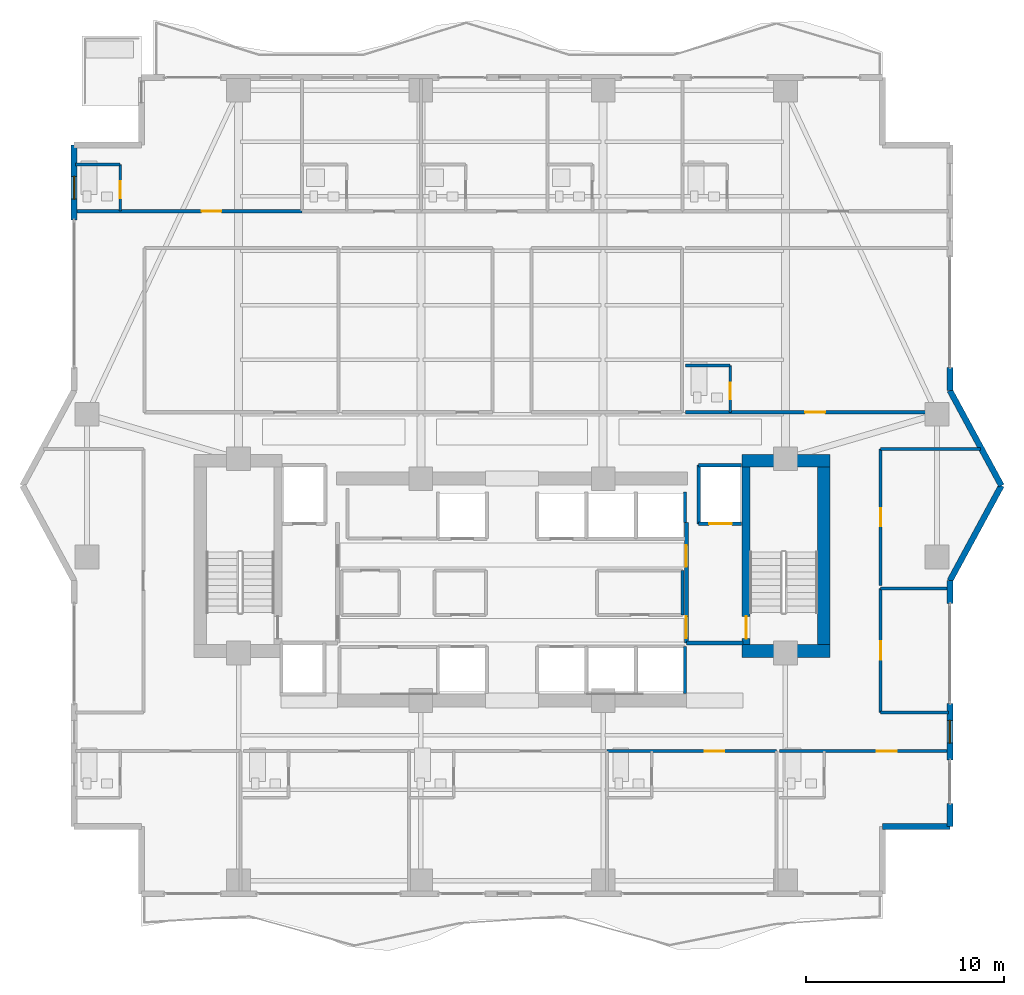
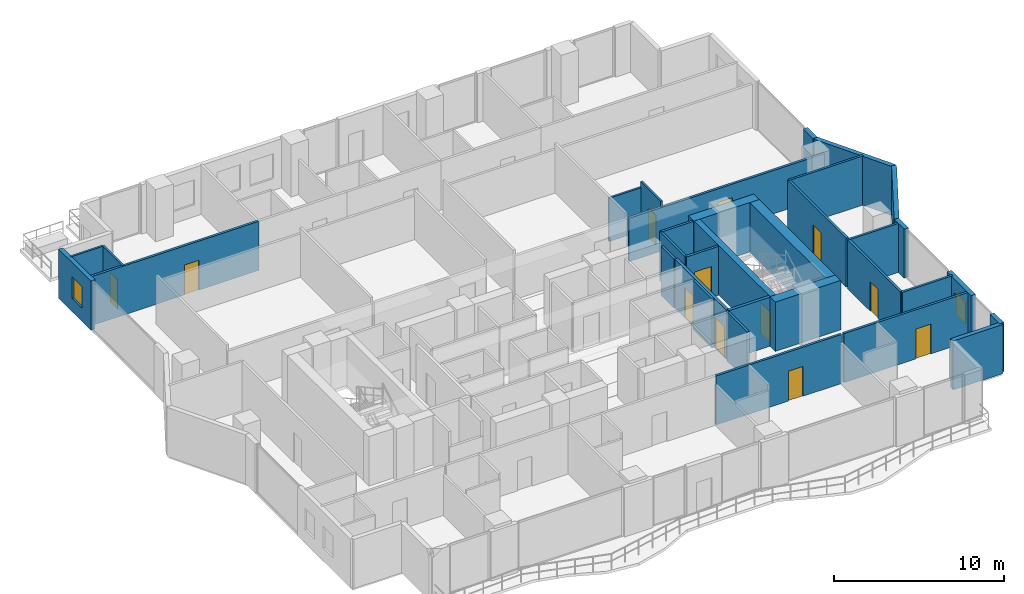
# One storey, part 26 of 32: 33 walls, 12 doors, 2 windows, 14 openings.
"""IFC4 building model written with IfcOpenShell, lengths in metres."""

from ifc_helpers import new_model, si_unit, direction, frame, frame_2d, origin, place, context, subcontext, project, spatial, rectangle, extrude, material, layer, layer_set, type_object, element, fill, save


model = new_model("IFC4")

# Units and contexts
model_context = context("Model", 3, precision=1e-05, world=origin(), true_north=direction((0.0, 1.0)))
body_context = subcontext(model_context, "Body", "Model", "MODEL_VIEW")
ifc_project = project(units=[si_unit("LENGTHUNIT", "METRE"), si_unit("AREAUNIT", "SQUARE_METRE"), si_unit("VOLUMEUNIT", "CUBIC_METRE"), si_unit("PLANEANGLEUNIT", "RADIAN"), si_unit("MASSUNIT", "GRAM", prefix="KILO")], contexts=[model_context])

# Site, building, storey
site_placement = place(None, origin())
site = spatial("IfcSite", under=ifc_project, at=site_placement, CompositionType="ELEMENT")
building_placement = place(site_placement, origin())
building = spatial("IfcBuilding", under=site, at=building_placement, Name="Zuhayl Quay Hotel", CompositionType="ELEMENT")
storey_placement = place(building_placement, frame((0.0, 0.0, 181.14990234375)))
storey = spatial("IfcBuildingStorey", under=building, at=storey_placement, Name="L45", CompositionType="ELEMENT", Elevation=181.14990234375)

# Walls
ifc_material_1 = material(Name="Concrete C50/60", Category="concrete")
ifc_layer_1 = layer(ifc_material_1, 0.64990234375, Name="Concrete C50/60", Category="concrete")
ifc_layer_set_1 = layer_set([ifc_layer_1], Name="Concrete C50/60")
wall_type_1 = type_object("IfcWallType", Name="WL_CORE_650", PredefinedType="SHEAR", material=ifc_layer_set_1)
wall_1_placement = place(storey_placement, frame((11.60009765625, 14.2548828125, 0.0), z_axis=(0.0, 0.0, 1.0), x_axis=(1.0, 0.0, 0.0)))
element("IfcWall", 1, at=wall_1_placement, inside=storey, type_object=wall_type_1, Name="L45 Core Shear Wall CW_NE", PredefinedType="SHEAR", context=body_context, shape_type="SweptSolid", body=[
    extrude(rectangle(XDim=4.4599609375, YDim=0.64990234375, at=frame_2d((2.22998046875, 0.0))), origin(), (0.0, 0.0, 1.0), 3.56005859375),
])
wall_2_placement = place(storey_placement, frame((15.735107421875, 4.969970703125, 0.0), z_axis=(0.0, 0.0, 1.0), x_axis=(0.0, 1.0, 0.0)))
element("IfcWall", 2, at=wall_2_placement, inside=storey, type_object=wall_type_1, Name="L45 Core Shear Wall CW_E", PredefinedType="SHEAR", context=body_context, shape_type="SweptSolid", body=[
    extrude(rectangle(XDim=8.9599609375, YDim=0.64990234375, at=frame_2d((4.47998046875, 0.0))), origin(), (0.0, 0.0, 1.0), 3.56005859375),
])
wall_3_placement = place(storey_placement, frame((11.60009765625, 4.64501953125, 0.0), z_axis=(0.0, 0.0, 1.0), x_axis=(1.0, 0.0, 0.0)))
element("IfcWall", 3, at=wall_3_placement, inside=storey, type_object=wall_type_1, Name="L45 Core Shear Wall CW_SE", PredefinedType="SHEAR", context=body_context, shape_type="SweptSolid", body=[
    extrude(rectangle(XDim=4.4599609375, YDim=0.64990234375, at=frame_2d((2.22998046875, 0.0))), origin(), (0.0, 0.0, 1.0), 3.56005859375),
])

# Wall, opening, window
ifc_material_2 = material(Name="Precast concrete C45/55", Category="concrete")
ifc_layer_2 = layer(ifc_material_2, 0.300048828125, Name="Precast concrete C45/55", Category="concrete")
ifc_layer_set_2 = layer_set([ifc_layer_2], Name="Precast concrete C45/55")
wall_type_2 = type_object("IfcWallType", Name="WL_EXT_300", PredefinedType="STANDARD", material=ifc_layer_set_2)
wall_4_placement = place(storey_placement, frame((-22.10009765625, 26.39990234375, 0.0), z_axis=(0.0, 0.0, 1.0), x_axis=(0.0, 1.0, 0.0)))
wall_4 = element("IfcWall", 4, at=wall_4_placement, inside=storey, type_object=wall_type_2, Name="L45 Exterior Precast Wall ENV_L45_E05_EW2", PredefinedType="STANDARD", context=body_context, shape_type="SweptSolid", body=[
    extrude(rectangle(XDim=3.800048828125, YDim=0.300048828125, at=frame_2d((1.89990234375, 0.0))), origin(), (0.0, 0.0, 1.0), 3.530029296875),
])
opening_1_placement = place(wall_4_placement, frame((1.054931640625, 0.0, 0.949951171875)))
opening_1 = element("IfcOpeningElement", 5, at=opening_1_placement, cuts=wall_4, Name="Opening W01N", PredefinedType="OPENING", context=body_context, shape_type="SweptSolid", body=[
    extrude(rectangle(XDim=1.14990234375, YDim=1.550048828125, at=frame_2d((0.574951171875, 0.77490234375))), frame((0.0, 0.159912109375, 0.0), z_axis=(0.0, -1.0, 0.0), x_axis=(1.0, 0.0, 0.0)), (0.0, 0.0, 1.0), 0.320068359375),
])
ifc_material_3 = material(Name="Dark Ceramic-Fritted Solar Glass", Category="glass")
window_type = type_object("IfcWindowType", Name="WN_NOTCH_1350", PartitioningType="SINGLE_PANEL", PredefinedType="WINDOW", material=ifc_material_3)
window_1_placement = place(opening_1_placement, origin())
window_1 = element("IfcWindow", 6, at=window_1_placement, inside=storey, type_object=window_type, Name="L45 Operable Facade Window 2-1", OverallHeight=1.550048828125, OverallWidth=1.14990234375, PartitioningType="SINGLE_PANEL", PredefinedType="WINDOW", context=body_context, shape_type="SweptSolid", body=[
    extrude(rectangle(XDim=1.14990234375, YDim=1.550048828125, at=frame_2d((0.574951171875, 0.77490234375))), frame((0.0, 0.030029296875, 0.0), z_axis=(0.0, -1.0, 0.0), x_axis=(1.0, 0.0, 0.0)), (0.0, 0.0, 1.0), 0.06005859375),
])
fill(opening_1, window_1)

# Walls
wall_5_placement = place(storey_placement, frame((22.10009765625, 18.949951171875, 0.0), z_axis=(0.0, 0.0, 1.0), x_axis=(0.0, -1.0, 0.0)))
element("IfcWall", 7, at=wall_5_placement, inside=storey, type_object=wall_type_2, Name="L45 Exterior Precast Wall ENV_L45_E11_EW2", PredefinedType="STANDARD", context=body_context, shape_type="SweptSolid", body=[
    extrude(rectangle(XDim=1.14990234375, YDim=0.300048828125, at=frame_2d((0.574951171875, 0.0))), origin(), (0.0, 0.0, 1.0), 3.530029296875),
])
for number, where, z_axis, x_axis, name in (
    (8, (22.10009765625, 17.800048828125, 0.0), (0.0, 0.0, 1.0), (0.476258655584, -0.879305233114, 0.0), "L45 Exterior Precast Wall ENV_L45_EW12"),
    (9, (24.699951171875, 13.0, 0.0), (0.0, 0.0, 1.0), (-0.476258655584, -0.879305233114, 0.0), "L45 Exterior Precast Wall ENV_L45_EW13"),
):
    element("IfcWall", number, at=place(storey_placement, frame(where, z_axis=z_axis, x_axis=x_axis)), inside=storey, type_object=wall_type_2, Name=name, PredefinedType="STANDARD", context=body_context, shape_type="SweptSolid", body=[
        extrude(rectangle(XDim=5.458984375, YDim=0.300048828125, at=frame_2d((2.7294921875, 0.0))), origin(), (0.0, 0.0, 1.0), 3.530029296875),
    ])
wall_6_placement = place(storey_placement, frame((22.10009765625, 8.199951171875, 0.0), z_axis=(0.0, 0.0, 1.0), x_axis=(0.0, -1.0, 0.0)))
element("IfcWall", 10, at=wall_6_placement, inside=storey, type_object=wall_type_2, Name="L45 Exterior Precast Wall ENV_L45_E14_EW1", PredefinedType="STANDARD", context=body_context, shape_type="SweptSolid", body=[
    extrude(rectangle(XDim=1.14990234375, YDim=0.300048828125, at=frame_2d((0.574951171875, 0.0))), origin(), (0.0, 0.0, 1.0), 3.530029296875),
])

# Wall, opening, window
wall_7_placement = place(storey_placement, frame((22.10009765625, 2.0, 0.0), z_axis=(0.0, 0.0, 1.0), x_axis=(0.0, -1.0, 0.0)))
wall_7 = element("IfcWall", 11, at=wall_7_placement, inside=storey, type_object=wall_type_2, Name="L45 Exterior Precast Wall ENV_L45_E14_EW2", PredefinedType="STANDARD", context=body_context, shape_type="SweptSolid", body=[
    extrude(rectangle(XDim=2.85009765625, YDim=0.300048828125, at=frame_2d((1.425048828125, 0.0))), origin(), (0.0, 0.0, 1.0), 3.530029296875),
])
opening_2_placement = place(wall_7_placement, frame((0.85009765625, 0.0, 0.949951171875)))
opening_2 = element("IfcOpeningElement", 12, at=opening_2_placement, cuts=wall_7, Name="Opening W01N", PredefinedType="OPENING", context=body_context, shape_type="SweptSolid", body=[
    extrude(rectangle(XDim=1.14990234375, YDim=1.550048828125, at=frame_2d((0.574951171875, 0.77490234375))), frame((0.0, 0.159912109375, 0.0), z_axis=(0.0, -1.0, 0.0), x_axis=(1.0, 0.0, 0.0)), (0.0, 0.0, 1.0), 0.320068359375),
])
window_2_placement = place(opening_2_placement, origin())
window_2 = element("IfcWindow", 13, at=window_2_placement, inside=storey, type_object=window_type, Name="L45 Operable Facade Window 2-1", OverallHeight=1.550048828125, OverallWidth=1.14990234375, PartitioningType="SINGLE_PANEL", PredefinedType="WINDOW", context=body_context, shape_type="SweptSolid", body=[
    extrude(rectangle(XDim=1.14990234375, YDim=1.550048828125, at=frame_2d((0.574951171875, 0.77490234375))), frame((0.0, 0.030029296875, 0.0), z_axis=(0.0, -1.0, 0.0), x_axis=(1.0, 0.0, 0.0)), (0.0, 0.0, 1.0), 0.06005859375),
])
fill(opening_2, window_2)

# Walls
wall_8_placement = place(storey_placement, frame((22.10009765625, -3.050048828125, 0.0), z_axis=(0.0, 0.0, 1.0), x_axis=(0.0, -1.0, 0.0)))
element("IfcWall", 14, at=wall_8_placement, inside=storey, type_object=wall_type_2, Name="L45 Exterior Precast Wall ENV_L45_E14_EW3", PredefinedType="STANDARD", context=body_context, shape_type="SweptSolid", body=[
    extrude(rectangle(XDim=1.14990234375, YDim=0.300048828125, at=frame_2d((0.574951171875, 0.0))), origin(), (0.0, 0.0, 1.0), 3.530029296875),
])
wall_9_placement = place(storey_placement, frame((22.10009765625, -4.199951171875, 0.0), z_axis=(0.0, 0.0, 1.0), x_axis=(-1.0, 0.0, 0.0)))
element("IfcWall", 15, at=wall_9_placement, inside=storey, type_object=wall_type_2, Name="L45 Exterior Precast Wall ENV_L45_EW15", PredefinedType="STANDARD", context=body_context, shape_type="SweptSolid", body=[
    extrude(rectangle(XDim=3.400146484375, YDim=0.300048828125, at=frame_2d((1.7001953125, 0.0))), origin(), (0.0, 0.0, 1.0), 3.530029296875),
])
ifc_material_4 = material(Name="Acoustic Gypsum Partition STC-58")
ifc_layer_3 = layer(ifc_material_4, 0.14990234375, Name="Acoustic Gypsum Partition STC-58")
ifc_layer_set_3 = layer_set([ifc_layer_3], Name="Acoustic Gypsum Partition STC-58")
wall_type_3 = type_object("IfcWallType", Name="WL_PART_150", PredefinedType="PARTITIONING", material=ifc_layer_set_3)
wall_10_placement = place(storey_placement, frame((8.610107421875, 6.47998046875, 0.0), z_axis=(0.0, 0.0, 1.0), x_axis=(0.0, 1.0, 0.0)))
element("IfcWall", 16, at=wall_10_placement, inside=storey, type_object=wall_type_3, Name="L45 Partition IW_L45_CORE_VL_E", PredefinedType="PARTITIONING", context=body_context, shape_type="SweptSolid", body=[
    extrude(rectangle(XDim=2.239990234375, YDim=0.14990234375, at=frame_2d((1.1201171875, 0.0))), origin(), (0.0, 0.0, 1.0), 3.530029296875),
])
for number, where, z_axis, x_axis, name in (
    (17, (18.60009765625, 1.550048828125, 0.0), (0.0, 0.0, 1.0), (1.0, 0.0, 0.0), "L45 Partition IW_L45_HK_MAIN_S"),
    (18, (18.60009765625, 7.800048828125, 0.0), (0.0, 0.0, 1.0), (1.0, 0.0, 0.0), "L45 Partition IW_L45_HK_MAIN_N"),
):
    element("IfcWall", number, at=place(storey_placement, frame(where, z_axis=z_axis, x_axis=x_axis)), inside=storey, type_object=wall_type_3, Name=name, PredefinedType="PARTITIONING", context=body_context, shape_type="SweptSolid", body=[
        extrude(rectangle(XDim=3.43994140625, YDim=0.14990234375, at=frame_2d((1.719970703125, 0.0))), origin(), (0.0, 0.0, 1.0), 3.530029296875),
    ])
wall_11_placement = place(storey_placement, frame((18.60009765625, 14.85009765625, 0.0), z_axis=(0.0, 0.0, 1.0), x_axis=(1.0, 0.0, 0.0)))
element("IfcWall", 19, at=wall_11_placement, inside=storey, type_object=wall_type_3, Name="L45 Partition IW_L45_EFLK_2_N", PredefinedType="PARTITIONING", context=body_context, shape_type="SweptSolid", body=[
    extrude(rectangle(XDim=5.037841796875, YDim=0.14990234375, at=frame_2d((2.51904296875, 0.0))), origin(), (0.0, 0.0, 1.0), 3.530029296875),
])

# Wall, opening, door
ifc_layer_4 = layer(ifc_material_4, 0.159912109375, Name="Acoustic Gypsum Partition STC-58")
ifc_layer_set_4 = layer_set([ifc_layer_4], Name="Acoustic Gypsum Partition STC-58")
wall_type_4 = type_object("IfcWallType", Name="WL_PART_CORR_160", PredefinedType="PARTITIONING", material=ifc_layer_set_4)
wall_12_placement = place(storey_placement, frame((-22.0400390625, 26.85009765625, 0.0), z_axis=(0.0, 0.0, 1.0), x_axis=(1.0, 0.0, 0.0)))
wall_12 = element("IfcWall", 20, at=wall_12_placement, inside=storey, type_object=wall_type_4, Name="L45 Partition IW_L45_NU01_COR", PredefinedType="PARTITIONING", context=body_context, shape_type="SweptSolid", body=[
    extrude(rectangle(XDim=11.43994140625, YDim=0.159912109375, at=frame_2d((5.719970703125, 0.0))), origin(), (0.0, 0.0, 1.0), 3.530029296875),
])
opening_3_placement = place(wall_12_placement, frame((6.3701171875, 0.0, 0.0)))
opening_3 = element("IfcOpeningElement", 21, at=opening_3_placement, cuts=wall_12, Name="Opening D03L", PredefinedType="OPENING", context=body_context, shape_type="SweptSolid", body=[
    extrude(rectangle(XDim=1.0, YDim=2.14990234375, at=frame_2d((0.5, 1.074951171875))), frame((0.0, 0.08984375, 0.0), z_axis=(0.0, -1.0, 0.0), x_axis=(1.0, 0.0, 0.0)), (0.0, 0.0, 1.0), 0.179931640625),
])
ifc_material_5 = material(Name="Solid Walnut Acoustic Fire Door")
door_type_1 = type_object("IfcDoorType", Name="DR_SUITE_1000", OperationType="NOTDEFINED", PredefinedType="DOOR", material=ifc_material_5)
door_1_placement = place(opening_3_placement, origin())
door_1 = element("IfcDoor", 22, at=door_1_placement, inside=storey, type_object=door_type_1, Name="L45 Panoramic Gulf Suite L45-01 Entrance Door", OperationType="SINGLE_SWING_RIGHT", OverallHeight=2.14990234375, OverallWidth=1.0, PredefinedType="DOOR", context=body_context, shape_type="SweptSolid", body=[
    extrude(rectangle(XDim=1.0, YDim=2.14990234375, at=frame_2d((0.5, 1.074951171875))), frame((0.0, 0.02490234375, 0.0), z_axis=(0.0, -1.0, 0.0), x_axis=(1.0, 0.0, 0.0)), (0.0, 0.0, 1.0), 0.050048828125),
])
fill(opening_3, door_1)

wall_13_placement = place(storey_placement, frame((8.75, 16.699951171875, 0.0), z_axis=(0.0, 0.0, 1.0), x_axis=(1.0, 0.0, 0.0)))
wall_13 = element("IfcWall", 23, at=wall_13_placement, inside=storey, type_object=wall_type_4, Name="L45 Partition IW_L45_MU01_COR", PredefinedType="PARTITIONING", context=body_context, shape_type="SweptSolid", body=[
    extrude(rectangle(XDim=13.2900390625, YDim=0.159912109375, at=frame_2d((6.64501953125, 0.0))), origin(), (0.0, 0.0, 1.0), 3.1240234375),
])
opening_4_placement = place(wall_13_placement, frame((6.050048828125, 0.0, 0.0)))
opening_4 = element("IfcOpeningElement", 24, at=opening_4_placement, cuts=wall_13, Name="Opening D03L", PredefinedType="OPENING", context=body_context, shape_type="SweptSolid", body=[
    extrude(rectangle(XDim=1.0, YDim=2.14990234375, at=frame_2d((0.5, 1.074951171875))), frame((0.0, 0.08984375, 0.0), z_axis=(0.0, -1.0, 0.0), x_axis=(1.0, 0.0, 0.0)), (0.0, 0.0, 1.0), 0.179931640625),
])
door_2_placement = place(opening_4_placement, origin())
door_2 = element("IfcDoor", 25, at=door_2_placement, inside=storey, type_object=door_type_1, Name="L45 Club Corner Suite L45-M1 Entrance Door", OperationType="SINGLE_SWING_LEFT", OverallHeight=2.14990234375, OverallWidth=1.0, PredefinedType="DOOR", context=body_context, shape_type="SweptSolid", body=[
    extrude(rectangle(XDim=1.0, YDim=2.14990234375, at=frame_2d((0.5, 1.074951171875))), frame((0.0, 0.02490234375, 0.0), z_axis=(0.0, -1.0, 0.0), x_axis=(1.0, 0.0, 0.0)), (0.0, 0.0, 1.0), 0.050048828125),
])
fill(opening_4, door_2)

wall_14_placement = place(storey_placement, frame((4.800048828125, -0.39990234375, 0.0), z_axis=(0.0, 0.0, 1.0), x_axis=(1.0, 0.0, 0.0)))
wall_14 = element("IfcWall", 26, at=wall_14_placement, inside=storey, type_object=wall_type_4, Name="L45 Partition IW_L45_SU03A_COR", PredefinedType="PARTITIONING", context=body_context, shape_type="SweptSolid", body=[
    extrude(rectangle(XDim=8.5400390625, YDim=0.159912109375, at=frame_2d((4.27001953125, 0.0))), origin(), (0.0, 0.0, 1.0), 3.530029296875),
])
opening_5_placement = place(wall_14_placement, frame((4.919921875, 0.0, 0.0)))
opening_5 = element("IfcOpeningElement", 27, at=opening_5_placement, cuts=wall_14, Name="Opening D03L", PredefinedType="OPENING", context=body_context, shape_type="SweptSolid", body=[
    extrude(rectangle(XDim=1.0, YDim=2.14990234375, at=frame_2d((0.5, 1.074951171875))), frame((0.0, 0.08984375, 0.0), z_axis=(0.0, -1.0, 0.0), x_axis=(1.0, 0.0, 0.0)), (0.0, 0.0, 1.0), 0.179931640625),
])
door_3_placement = place(opening_5_placement, origin())
door_3 = element("IfcDoor", 28, at=door_3_placement, inside=storey, type_object=door_type_1, Name="L45 City-View Junior Suite L45-03A Entrance Door", OperationType="SINGLE_SWING_LEFT", OverallHeight=2.14990234375, OverallWidth=1.0, PredefinedType="DOOR", context=body_context, shape_type="SweptSolid", body=[
    extrude(rectangle(XDim=1.0, YDim=2.14990234375, at=frame_2d((0.5, 1.074951171875))), frame((0.0, 0.02490234375, 0.0), z_axis=(0.0, -1.0, 0.0), x_axis=(1.0, 0.0, 0.0)), (0.0, 0.0, 1.0), 0.050048828125),
])
fill(opening_5, door_3)

wall_15_placement = place(storey_placement, frame((13.5, -0.39990234375, 0.0), z_axis=(0.0, 0.0, 1.0), x_axis=(1.0, 0.0, 0.0)))
wall_15 = element("IfcWall", 29, at=wall_15_placement, inside=storey, type_object=wall_type_4, Name="L45 Partition IW_L45_SU03B_COR", PredefinedType="PARTITIONING", context=body_context, shape_type="SweptSolid", body=[
    extrude(rectangle(XDim=8.5400390625, YDim=0.159912109375, at=frame_2d((4.27001953125, 0.0))), origin(), (0.0, 0.0, 1.0), 3.530029296875),
])
opening_6_placement = place(wall_15_placement, frame((4.919921875, 0.0, 0.0)))
opening_6 = element("IfcOpeningElement", 30, at=opening_6_placement, cuts=wall_15, Name="Opening D03L", PredefinedType="OPENING", context=body_context, shape_type="SweptSolid", body=[
    extrude(rectangle(XDim=1.0, YDim=2.14990234375, at=frame_2d((0.5, 1.074951171875))), frame((0.0, 0.08984375, 0.0), z_axis=(0.0, -1.0, 0.0), x_axis=(1.0, 0.0, 0.0)), (0.0, 0.0, 1.0), 0.179931640625),
])
door_4_placement = place(opening_6_placement, origin())
door_4 = element("IfcDoor", 31, at=door_4_placement, inside=storey, type_object=door_type_1, Name="L45 City-View Junior Suite L45-03B Entrance Door", OperationType="SINGLE_SWING_LEFT", OverallHeight=2.14990234375, OverallWidth=1.0, PredefinedType="DOOR", context=body_context, shape_type="SweptSolid", body=[
    extrude(rectangle(XDim=1.0, YDim=2.14990234375, at=frame_2d((0.5, 1.074951171875))), frame((0.0, 0.02490234375, 0.0), z_axis=(0.0, -1.0, 0.0), x_axis=(1.0, 0.0, 0.0)), (0.0, 0.0, 1.0), 0.050048828125),
])
fill(opening_6, door_4)

wall_16_placement = place(storey_placement, frame((18.60009765625, 1.550048828125, 0.0), z_axis=(0.0, 0.0, 1.0), x_axis=(0.0, 1.0, 0.0)))
wall_16 = element("IfcWall", 32, at=wall_16_placement, inside=storey, type_object=wall_type_4, Name="L45 Partition IW_L45_HK_MAIN_W", PredefinedType="PARTITIONING", context=body_context, shape_type="SweptSolid", body=[
    extrude(rectangle(XDim=6.25, YDim=0.159912109375, at=frame_2d((3.125, 0.0))), origin(), (0.0, 0.0, 1.0), 3.530029296875),
])
opening_7_placement = place(wall_16_placement, frame((2.6650390625, 0.0, 0.0)))
opening_7 = element("IfcOpeningElement", 33, at=opening_7_placement, cuts=wall_16, Name="Opening D05", PredefinedType="OPENING", context=body_context, shape_type="SweptSolid", body=[
    extrude(rectangle(XDim=0.919921875, YDim=2.1201171875, at=frame_2d((0.4599609375, 1.06005859375))), frame((0.0, 0.08984375, 0.0), z_axis=(0.0, -1.0, 0.0), x_axis=(1.0, 0.0, 0.0)), (0.0, 0.0, 1.0), 0.179931640625),
])
door_type_2 = type_object("IfcDoorType", Name="DR_INT_950", OperationType="NOTDEFINED", PredefinedType="DOOR", material=ifc_material_5)
door_5_placement = place(opening_7_placement, origin())
door_5 = element("IfcDoor", 34, at=door_5_placement, inside=storey, type_object=door_type_2, Name="L45 Housekeeping and Linen Room Door", OperationType="SINGLE_SWING_RIGHT", OverallHeight=2.1201171875, OverallWidth=0.919921875, PredefinedType="DOOR", context=body_context, shape_type="SweptSolid", body=[
    extrude(rectangle(XDim=0.919921875, YDim=2.1201171875, at=frame_2d((0.4599609375, 1.06005859375))), frame((0.0, 0.02490234375, 0.0), z_axis=(0.0, -1.0, 0.0), x_axis=(1.0, 0.0, 0.0)), (0.0, 0.0, 1.0), 0.050048828125),
])
fill(opening_7, door_5)

wall_17_placement = place(storey_placement, frame((18.60009765625, 7.9599609375, 0.0), z_axis=(0.0, 0.0, 1.0), x_axis=(0.0, 1.0, 0.0)))
wall_17 = element("IfcWall", 35, at=wall_17_placement, inside=storey, type_object=wall_type_4, Name="L45 Partition IW_L45_EFLK_2_W", PredefinedType="PARTITIONING", context=body_context, shape_type="SweptSolid", body=[
    extrude(rectangle(XDim=6.89013671875, YDim=0.159912109375, at=frame_2d((3.445068359375, 0.0))), origin(), (0.0, 0.0, 1.0), 3.530029296875),
])
opening_8_placement = place(wall_17_placement, frame((2.985107421875, 0.0, 0.0)))
opening_8 = element("IfcOpeningElement", 36, at=opening_8_placement, cuts=wall_17, Name="Opening D05", PredefinedType="OPENING", context=body_context, shape_type="SweptSolid", body=[
    extrude(rectangle(XDim=0.919921875, YDim=2.1201171875, at=frame_2d((0.4599609375, 1.06005859375))), frame((0.0, 0.08984375, 0.0), z_axis=(0.0, -1.0, 0.0), x_axis=(1.0, 0.0, 0.0)), (0.0, 0.0, 1.0), 0.179931640625),
])
door_6_placement = place(opening_8_placement, origin())
door_6 = element("IfcDoor", 37, at=door_6_placement, inside=storey, type_object=door_type_2, Name="L45 Floor Beverage and Ice Pantry Door", OperationType="SINGLE_SWING_LEFT", OverallHeight=2.1201171875, OverallWidth=0.919921875, PredefinedType="DOOR", context=body_context, shape_type="SweptSolid", body=[
    extrude(rectangle(XDim=0.919921875, YDim=2.1201171875, at=frame_2d((0.4599609375, 1.06005859375))), frame((0.0, 0.02490234375, 0.0), z_axis=(0.0, -1.0, 0.0), x_axis=(1.0, 0.0, 0.0)), (0.0, 0.0, 1.0), 0.050048828125),
])
fill(opening_8, door_6)

ifc_material_6 = material(Name="Moisture-Resistant Sanitarychase Gypsum")
ifc_layer_5 = layer(ifc_material_6, 0.135009765625, Name="Moisture-Resistant Sanitarychase Gypsum")
ifc_layer_set_5 = layer_set([ifc_layer_5], Name="Moisture-Resistant Sanitarychase Gypsum")
wall_type_5 = type_object("IfcWallType", Name="WL_PART_PLUMB_150", PredefinedType="PLUMBINGWALL", material=ifc_layer_set_5)
wall_18_placement = place(storey_placement, frame((-19.780029296875, 26.85009765625, 0.0), z_axis=(0.0, 0.0, 1.0), x_axis=(0.0, 1.0, 0.0)))
wall_18 = element("IfcWall", 38, at=wall_18_placement, inside=storey, type_object=wall_type_5, Name="L45 Partition IW_L45_NU01_BE", PredefinedType="PLUMBINGWALL", context=body_context, shape_type="SweptSolid", body=[
    extrude(rectangle(XDim=2.35986328125, YDim=0.135009765625, at=frame_2d((1.179931640625, 0.0))), origin(), (0.0, 0.0, 1.0), 3.530029296875),
])
opening_9_placement = place(wall_18_placement, frame((0.64990234375, 0.0, 0.0)))
opening_9 = element("IfcOpeningElement", 39, at=opening_9_placement, cuts=wall_18, Name="Opening D04", PredefinedType="OPENING", context=body_context, shape_type="SweptSolid", body=[
    extrude(rectangle(XDim=0.85009765625, YDim=2.10009765625, at=frame_2d((0.425048828125, 1.050048828125))), frame((0.0, 0.077392578125, 0.0), z_axis=(0.0, -1.0, 0.0), x_axis=(1.0, 0.0, 0.0)), (0.0, 0.0, 1.0), 0.155029296875),
])
ifc_material_7 = material(Name="Moisture-Resistant Walnut Veneer")
door_type_3 = type_object("IfcDoorType", Name="DR_BATH_850", OperationType="NOTDEFINED", PredefinedType="DOOR", material=ifc_material_7)
door_7_placement = place(opening_9_placement, origin())
door_7 = element("IfcDoor", 40, at=door_7_placement, inside=storey, type_object=door_type_3, Name="L45 Panoramic Gulf Suite L45-01 En-Suite Door", OperationType="SINGLE_SWING_LEFT", OverallHeight=2.10009765625, OverallWidth=0.85009765625, PredefinedType="DOOR", context=body_context, shape_type="SweptSolid", body=[
    extrude(rectangle(XDim=0.85009765625, YDim=2.10009765625, at=frame_2d((0.425048828125, 1.050048828125))), frame((0.0, 0.02490234375, 0.0), z_axis=(0.0, -1.0, 0.0), x_axis=(1.0, 0.0, 0.0)), (0.0, 0.0, 1.0), 0.050048828125),
])
fill(opening_9, door_7)

wall_19_placement = place(storey_placement, frame((11.010009765625, 16.699951171875, 0.0), z_axis=(0.0, 0.0, 1.0), x_axis=(0.0, 1.0, 0.0)))
wall_19 = element("IfcWall", 41, at=wall_19_placement, inside=storey, type_object=wall_type_5, Name="L45 Partition IW_L45_MU01_BE", PredefinedType="PLUMBINGWALL", context=body_context, shape_type="SweptSolid", body=[
    extrude(rectangle(XDim=2.360107421875, YDim=0.135009765625, at=frame_2d((1.18017578125, 0.0))), origin(), (0.0, 0.0, 1.0), 3.530029296875),
])
opening_10_placement = place(wall_19_placement, frame((0.64990234375, 0.0, 0.0)))
opening_10 = element("IfcOpeningElement", 42, at=opening_10_placement, cuts=wall_19, Name="Opening D04", PredefinedType="OPENING", context=body_context, shape_type="SweptSolid", body=[
    extrude(rectangle(XDim=0.85009765625, YDim=2.10009765625, at=frame_2d((0.425048828125, 1.050048828125))), frame((0.0, 0.077392578125, 0.0), z_axis=(0.0, -1.0, 0.0), x_axis=(1.0, 0.0, 0.0)), (0.0, 0.0, 1.0), 0.155029296875),
])
door_8_placement = place(opening_10_placement, origin())
door_8 = element("IfcDoor", 43, at=door_8_placement, inside=storey, type_object=door_type_3, Name="L45 Club Corner Suite L45-M1 En-Suite Door", OperationType="SINGLE_SWING_RIGHT", OverallHeight=2.10009765625, OverallWidth=0.85009765625, PredefinedType="DOOR", context=body_context, shape_type="SweptSolid", body=[
    extrude(rectangle(XDim=0.85009765625, YDim=2.10009765625, at=frame_2d((0.425048828125, 1.050048828125))), frame((0.0, 0.02490234375, 0.0), z_axis=(0.0, -1.0, 0.0), x_axis=(1.0, 0.0, 0.0)), (0.0, 0.0, 1.0), 0.050048828125),
])
fill(opening_10, door_8)

# Walls
wall_20_placement = place(storey_placement, frame((-22.0400390625, 29.2099609375, 0.0), z_axis=(0.0, 0.0, 1.0), x_axis=(1.0, 0.0, 0.0)))
element("IfcWall", 44, at=wall_20_placement, inside=storey, type_object=wall_type_5, Name="L45 Partition IW_L45_NU01_BN", PredefinedType="PLUMBINGWALL", context=body_context, shape_type="SweptSolid", body=[
    extrude(rectangle(XDim=2.260009765625, YDim=0.135009765625, at=frame_2d((1.1298828125, 0.0))), origin(), (0.0, 0.0, 1.0), 3.530029296875),
])
wall_21_placement = place(storey_placement, frame((8.75, 19.06005859375, 0.0), z_axis=(0.0, 0.0, 1.0), x_axis=(1.0, 0.0, 0.0)))
element("IfcWall", 45, at=wall_21_placement, inside=storey, type_object=wall_type_5, Name="L45 Partition IW_L45_MU01_BN", PredefinedType="PLUMBINGWALL", context=body_context, shape_type="SweptSolid", body=[
    extrude(rectangle(XDim=2.260009765625, YDim=0.135009765625, at=frame_2d((1.1298828125, 0.0))), origin(), (0.0, 0.0, 1.0), 3.1240234375),
])

# Wall, opening, door
ifc_material_8 = material(Name="Gypsum Fireboard Assembly EI-90")
ifc_layer_6 = layer(ifc_material_8, 0.1650390625, Name="Gypsum Fireboard Assembly EI-90")
ifc_layer_set_6 = layer_set([ifc_layer_6], Name="Gypsum Fireboard Assembly EI-90")
wall_type_6 = type_object("IfcWallType", Name="WL_PART_SHAFT_160", PredefinedType="PARTITIONING", material=ifc_layer_set_6)
wall_22_placement = place(storey_placement, frame((9.419921875, 11.070068359375, 0.0), z_axis=(0.0, 0.0, 1.0), x_axis=(1.0, 0.0, 0.0)))
wall_22 = element("IfcWall", 46, at=wall_22_placement, inside=storey, type_object=wall_type_6, Name="L45 Partition IW_L45_SH_FL2_F", PredefinedType="PARTITIONING", context=body_context, shape_type="SweptSolid", body=[
    extrude(rectangle(XDim=2.16015625, YDim=0.1650390625, at=frame_2d((1.080078125, 0.0))), origin(), (0.0, 0.0, 1.0), 3.530029296875),
])
opening_11_placement = place(wall_22_placement, frame((0.530029296875, 0.0, 0.0)))
opening_11 = element("IfcOpeningElement", 47, at=opening_11_placement, cuts=wall_22, Name="Opening LD2", PredefinedType="OPENING", context=body_context, shape_type="SweptSolid", body=[
    extrude(rectangle(XDim=1.14990234375, YDim=2.25, at=frame_2d((0.574951171875, 1.125))), frame((0.0, 0.092529296875, 0.0), z_axis=(0.0, -1.0, 0.0), x_axis=(1.0, 0.0, 0.0)), (0.0, 0.0, 1.0), 0.18505859375),
])
ifc_material_9 = material(Name="Brushed Stainless Steel", Category="steel")
door_type_4 = type_object("IfcDoorType", Name="DR_LIFT_FF_1100", OperationType="SLIDING_TO_LEFT", PredefinedType="DOOR", material=ifc_material_9)
door_9_placement = place(opening_11_placement, origin())
door_9 = element("IfcDoor", 48, at=door_9_placement, inside=storey, type_object=door_type_4, Name="L45 Lift FL2 Sliding Landing Door", OperationType="SLIDING_TO_LEFT", OverallHeight=2.25, OverallWidth=1.14990234375, PredefinedType="DOOR", context=body_context, shape_type="SweptSolid", body=[
    extrude(rectangle(XDim=1.14990234375, YDim=2.25, at=frame_2d((0.574951171875, 1.125))), frame((0.0, 0.02490234375, 0.0), z_axis=(0.0, -1.0, 0.0), x_axis=(1.0, 0.0, 0.0)), (0.0, 0.0, 1.0), 0.050048828125),
])
fill(opening_11, door_9)

# Walls
wall_23_placement = place(storey_placement, frame((9.419921875, 11.070068359375, 0.0), z_axis=(0.0, 0.0, 1.0), x_axis=(0.0, 1.0, 0.0)))
element("IfcWall", 49, at=wall_23_placement, inside=storey, type_object=wall_type_6, Name="L45 Partition IW_L45_SH_FL2_W", PredefinedType="PARTITIONING", context=body_context, shape_type="SweptSolid", body=[
    extrude(rectangle(XDim=2.9599609375, YDim=0.1650390625, at=frame_2d((1.47998046875, 0.0))), origin(), (0.0, 0.0, 1.0), 3.530029296875),
])
wall_24_placement = place(storey_placement, frame((9.419921875, 14.030029296875, 0.0), z_axis=(0.0, 0.0, 1.0), x_axis=(1.0, 0.0, 0.0)))
element("IfcWall", 50, at=wall_24_placement, inside=storey, type_object=wall_type_6, Name="L45 Partition IW_L45_SH_FL2_B", PredefinedType="PARTITIONING", context=body_context, shape_type="SweptSolid", body=[
    extrude(rectangle(XDim=2.16015625, YDim=0.1650390625, at=frame_2d((1.080078125, 0.0))), origin(), (0.0, 0.0, 1.0), 3.530029296875),
])
wall_25_placement = place(storey_placement, frame((8.72998046875, 2.52001953125, 0.0), z_axis=(0.0, 0.0, 1.0), x_axis=(0.0, 1.0, 0.0)))
element("IfcWall", 51, at=wall_25_placement, inside=storey, type_object=wall_type_6, Name="L45 Partition IW_L45_SH_HP2_E", PredefinedType="PARTITIONING", context=body_context, shape_type="SweptSolid", body=[
    extrude(rectangle(XDim=2.35986328125, YDim=0.1650390625, at=frame_2d((1.179931640625, 0.0))), origin(), (0.0, 0.0, 1.0), 3.530029296875),
])
wall_26_placement = place(storey_placement, frame((8.72998046875, 11.14990234375, 0.0), z_axis=(0.0, 0.0, 1.0), x_axis=(0.0, 1.0, 0.0)))
element("IfcWall", 52, at=wall_26_placement, inside=storey, type_object=wall_type_6, Name="L45 Partition IW_L45_SH_HP4_E", PredefinedType="PARTITIONING", context=body_context, shape_type="SweptSolid", body=[
    extrude(rectangle(XDim=1.530029296875, YDim=0.1650390625, at=frame_2d((0.76513671875, 0.0))), origin(), (0.0, 0.0, 1.0), 3.530029296875),
])

# Wall, openings, doors
ifc_material_10 = material(Name="Gypsum Fireboard Assembly EI-120")
ifc_layer_7 = layer(ifc_material_10, 0.199951171875, Name="Gypsum Fireboard Assembly EI-120")
ifc_layer_set_7 = layer_set([ifc_layer_7], Name="Gypsum Fireboard Assembly EI-120")
wall_type_7 = type_object("IfcWallType", Name="WL_PART_SHAFT_200", PredefinedType="PARTITIONING", material=ifc_layer_set_7)
wall_27_placement = place(storey_placement, frame((8.800048828125, 11.14990234375, 0.0), z_axis=(0.0, 0.0, 1.0), x_axis=(0.0, -1.0, 0.0)))
wall_27 = element("IfcWall", 53, at=wall_27_placement, inside=storey, type_object=wall_type_7, Name="L45 Partition IW_L45_FSAE_E_W", PredefinedType="PARTITIONING", context=body_context, shape_type="SweptSolid", body=[
    extrude(rectangle(XDim=6.099853515625, YDim=0.199951171875, at=frame_2d((3.0498046875, 0.0))), origin(), (0.0, 0.0, 1.0), 3.530029296875),
])
opening_12_placement = place(wall_27_placement, frame((1.14990234375, 0.0, 0.0)))
opening_12 = element("IfcOpeningElement", 54, at=opening_12_placement, cuts=wall_27, Name="Opening D02", PredefinedType="OPENING", context=body_context, shape_type="SweptSolid", body=[
    extrude(rectangle(XDim=1.10009765625, YDim=2.199951171875, at=frame_2d((0.550048828125, 1.10009765625))), frame((0.0, 0.10986328125, 0.0), z_axis=(0.0, -1.0, 0.0), x_axis=(1.0, 0.0, 0.0)), (0.0, 0.0, 1.0), 0.219970703125),
])
opening_13_placement = place(wall_27_placement, frame((4.75, 0.0, 0.0)))
opening_13 = element("IfcOpeningElement", 55, at=opening_13_placement, cuts=wall_27, Name="Opening D02", PredefinedType="OPENING", context=body_context, shape_type="SweptSolid", body=[
    extrude(rectangle(XDim=1.10009765625, YDim=2.199951171875, at=frame_2d((0.550048828125, 1.10009765625))), frame((0.0, 0.10986328125, 0.0), z_axis=(0.0, -1.0, 0.0), x_axis=(1.0, 0.0, 0.0)), (0.0, 0.0, 1.0), 0.219970703125),
])
ifc_material_11 = material(Name="Steel ASTM A992 Grade 50", Category="steel")
door_type_5 = type_object("IfcDoorType", Name="DR_FIRE_90_1100", OperationType="NOTDEFINED", PredefinedType="DOOR", material=ifc_material_11)
door_10_placement = place(opening_12_placement, origin())
door_10 = element("IfcDoor", 56, at=door_10_placement, inside=storey, type_object=door_type_5, Name="L45 FSAE Lobby East North Entry Door", OperationType="SINGLE_SWING_RIGHT", OverallHeight=2.199951171875, OverallWidth=1.10009765625, PredefinedType="DOOR", context=body_context, shape_type="SweptSolid", body=[
    extrude(rectangle(XDim=1.10009765625, YDim=2.199951171875, at=frame_2d((0.550048828125, 1.10009765625))), frame((0.0, 0.02490234375, 0.0), z_axis=(0.0, -1.0, 0.0), x_axis=(1.0, 0.0, 0.0)), (0.0, 0.0, 1.0), 0.050048828125),
])
fill(opening_12, door_10)
door_11_placement = place(opening_13_placement, origin())
door_11 = element("IfcDoor", 57, at=door_11_placement, inside=storey, type_object=door_type_5, Name="L45 FSAE Lobby East South Entry Door", OperationType="SINGLE_SWING_LEFT", OverallHeight=2.199951171875, OverallWidth=1.10009765625, PredefinedType="DOOR", context=body_context, shape_type="SweptSolid", body=[
    extrude(rectangle(XDim=1.10009765625, YDim=2.199951171875, at=frame_2d((0.550048828125, 1.10009765625))), frame((0.0, 0.02490234375, 0.0), z_axis=(0.0, -1.0, 0.0), x_axis=(1.0, 0.0, 0.0)), (0.0, 0.0, 1.0), 0.050048828125),
])
fill(opening_13, door_11)

# Wall
wall_28_placement = place(storey_placement, frame((8.800048828125, 5.050048828125, 0.0), z_axis=(0.0, 0.0, 1.0), x_axis=(1.0, 0.0, 0.0)))
element("IfcWall", 58, at=wall_28_placement, inside=storey, type_object=wall_type_7, Name="L45 Partition IW_L45_FSAE_E_S", PredefinedType="PARTITIONING", context=body_context, shape_type="SweptSolid", body=[
    extrude(rectangle(XDim=2.849853515625, YDim=0.199951171875, at=frame_2d((1.4248046875, 0.0))), origin(), (0.0, 0.0, 1.0), 3.530029296875),
])

# Wall, opening, door
ifc_material_12 = material(Name="Concrete C60/75", Category="concrete")
ifc_layer_8 = layer(ifc_material_12, 0.39990234375, Name="Concrete C60/75", Category="concrete")
ifc_layer_set_8 = layer_set([ifc_layer_8], Name="Concrete C60/75")
wall_type_8 = type_object("IfcWallType", Name="WL_STAIR_400", PredefinedType="SHEAR", material=ifc_layer_set_8)
wall_29_placement = place(storey_placement, frame((11.820068359375, 13.929931640625, 0.0), z_axis=(0.0, 0.0, 1.0), x_axis=(0.0, -1.0, 0.0)))
wall_29 = element("IfcWall", 59, at=wall_29_placement, inside=storey, type_object=wall_type_8, Name="L45 Core Shear Wall SW_ST2", PredefinedType="SHEAR", context=body_context, shape_type="SweptSolid", body=[
    extrude(rectangle(XDim=8.9599609375, YDim=0.39990234375, at=frame_2d((4.47998046875, 0.0))), origin(), (0.0, 0.0, 1.0), 3.56005859375),
])
opening_14_placement = place(wall_29_placement, frame((7.530029296875, 0.0, 0.0)))
opening_14 = element("IfcOpeningElement", 60, at=opening_14_placement, cuts=wall_29, Name="Opening D01", PredefinedType="OPENING", context=body_context, shape_type="SweptSolid", body=[
    extrude(rectangle(XDim=1.1201171875, YDim=2.219970703125, at=frame_2d((0.56005859375, 1.10986328125))), frame((0.0, 0.2099609375, 0.0), z_axis=(0.0, -1.0, 0.0), x_axis=(1.0, 0.0, 0.0)), (0.0, 0.0, 1.0), 0.419921875),
])
door_type_6 = type_object("IfcDoorType", Name="DR_STAIR_90_1100", OperationType="NOTDEFINED", PredefinedType="DOOR", material=ifc_material_11)
door_12_placement = place(opening_14_placement, origin())
door_12 = element("IfcDoor", 61, at=door_12_placement, inside=storey, type_object=door_type_6, Name="L45 Smokeproof Exit Stair ST2 Door", OperationType="SINGLE_SWING_RIGHT", OverallHeight=2.219970703125, OverallWidth=1.1201171875, PredefinedType="DOOR", context=body_context, shape_type="SweptSolid", body=[
    extrude(rectangle(XDim=1.1201171875, YDim=2.219970703125, at=frame_2d((0.56005859375, 1.10986328125))), frame((0.0, 0.02490234375, 0.0), z_axis=(0.0, -1.0, 0.0), x_axis=(1.0, 0.0, 0.0)), (0.0, 0.0, 1.0), 0.050048828125),
])
fill(opening_14, door_12)

save(model, "model.ifc")
